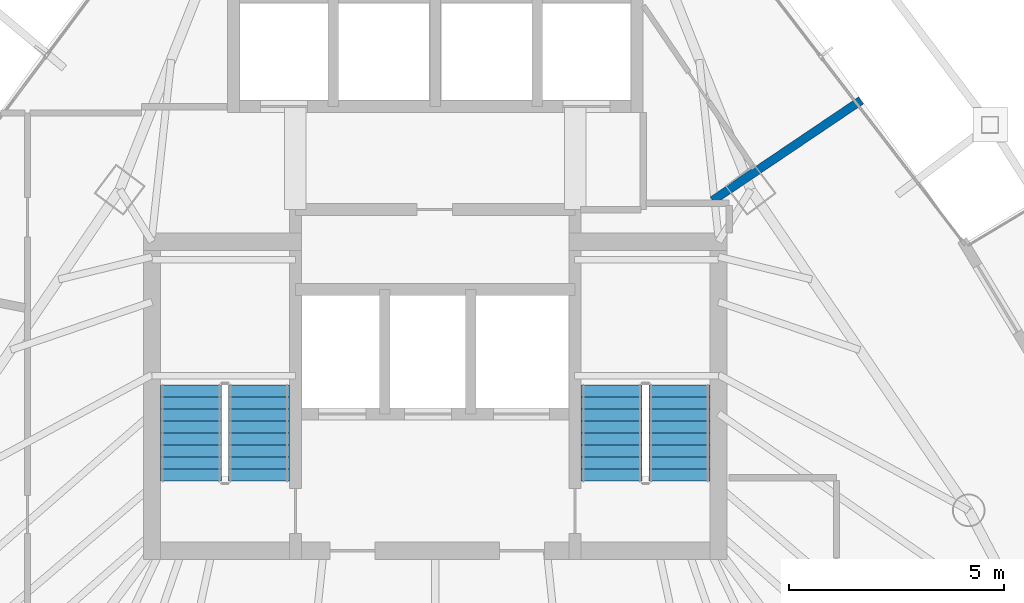
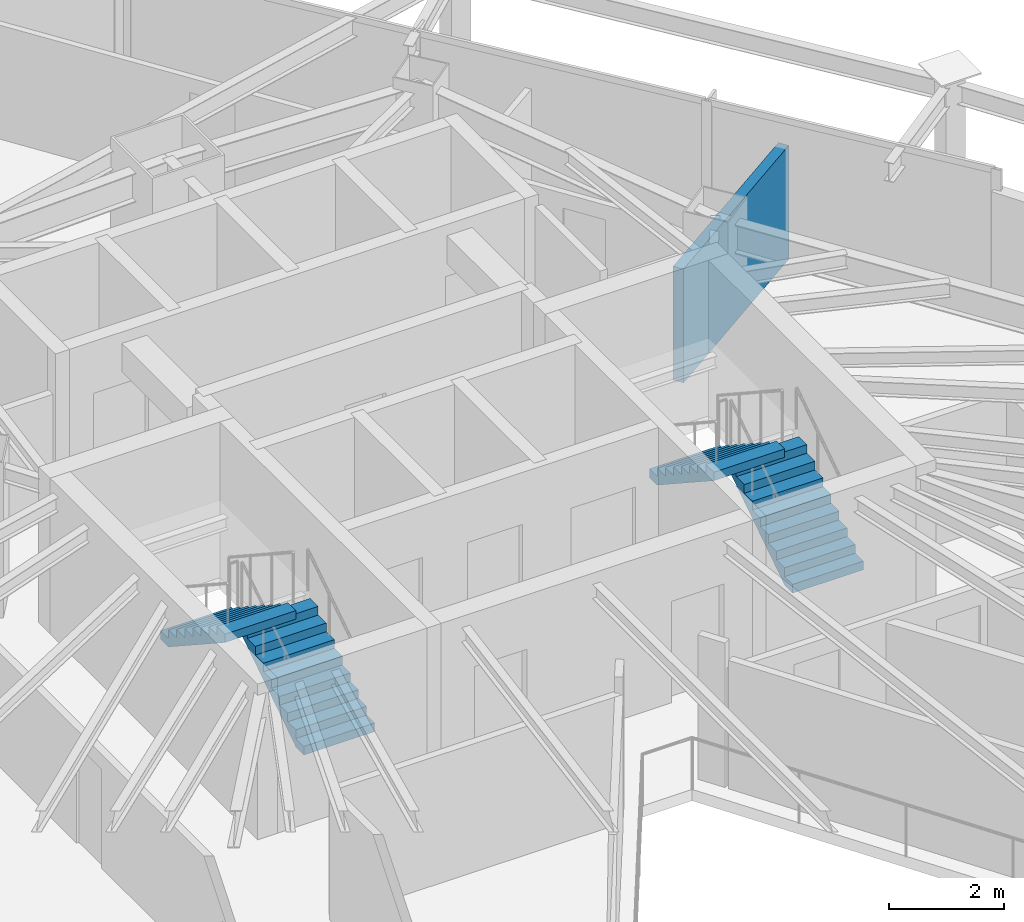
# One storey, part 26 of 29: 4 stair flights, 1 wall, 2 elements without a shape of their own.
"""IFC4 building model written with IfcOpenShell, lengths in metres."""

import ifcopenshell
import ifcopenshell.guid

model = None  # the IFC model being written
_history = None  # IfcOwnerHistory: only IFC2X3 demands one
_inside = {}  # id of a spatial element -> (the spatial element, [elements in it])
_under = {}  # id of a project, library or spatial element -> (it, [spatial elements below it])
_declared = {}  # id of a project -> (the project, [libraries it declares])
_typed = {}  # id of a type object -> (the type object, [elements of that type])
_made_of = {}  # id of a material, layer set ... -> (it, [elements and type objects made of it])


def new_model(schema):
    """Start an empty IFC model of exactly this schema.

    Asked for "IFC4X3", IfcOpenShell would pick the latest addendum, in which some entities
    have other attributes; the version numbers below select the first issue.
    IFC2X3 requires an IfcOwnerHistory on every rooted entity: one is made here for all.
    """
    global model, _history
    if schema == "IFC4X3":
        model = ifcopenshell.file(schema_version=(4, 3, 0, 0))
    else:
        model = ifcopenshell.file(schema=schema)
    _inside.clear()
    _under.clear()
    _declared.clear()
    _typed.clear()
    _made_of.clear()
    _history = None
    if model.schema == "IFC2X3":
        org = make("IfcOrganization", Name="unknown")
        user = make(
            "IfcPersonAndOrganization",
            ThePerson=make("IfcPerson", FamilyName="unknown"),
            TheOrganization=org,
        )
        app = make(
            "IfcApplication",
            ApplicationDeveloper=org,
            Version="unknown",
            ApplicationFullName="unknown",
            ApplicationIdentifier="unknown",
        )
        _history = make(
            "IfcOwnerHistory",
            OwningUser=user,
            OwningApplication=app,
            ChangeAction="ADDED",
            CreationDate=0,
        )
    return model


def make(cls, **values):
    """One entity of the class cls with the attributes given. An attribute that is None is left unset."""
    return model.create_entity(
        cls, **{name: value for name, value in values.items() if value is not None}
    )


def rooted(cls, **values):
    """An entity with a GlobalId (a new one), such as an element, a storey or a relation."""
    return make(cls, GlobalId=ifcopenshell.guid.new(), OwnerHistory=_history, **values)


def si_unit(unit_type, name, prefix=None):
    """IfcSIUnit, for example si_unit("LENGTHUNIT", "METRE", prefix="MILLI")."""
    return make("IfcSIUnit", UnitType=unit_type, Prefix=prefix, Name=name)


def assignment(units):
    """IfcUnitAssignment: the units of a project."""
    return None if units is None else make("IfcUnitAssignment", Units=units)


def point(xyz):
    """IfcCartesianPoint."""
    return None if xyz is None else make("IfcCartesianPoint", Coordinates=xyz)


def direction(xyz):
    """IfcDirection."""
    return None if xyz is None else make("IfcDirection", DirectionRatios=xyz)


def frame(location, z_axis=None, x_axis=None):
    """IfcAxis2Placement3D, a coordinate frame: its origin and axes. An axis left out is left unset."""
    return make(
        "IfcAxis2Placement3D",
        Location=point(location),
        Axis=direction(z_axis),
        RefDirection=direction(x_axis),
    )


def frame_2d(location, x_axis=None):
    """IfcAxis2Placement2D, a coordinate frame in the plane: its origin and x axis."""
    return make(
        "IfcAxis2Placement2D", Location=point(location), RefDirection=direction(x_axis)
    )


def origin():
    """The frame at (0, 0, 0) with its axes left unset."""
    return frame((0.0, 0.0, 0.0))


def place(relative_to, where):
    """IfcLocalPlacement: puts the frame where relative to a parent placement (None: the world)."""
    return make(
        "IfcLocalPlacement", PlacementRelTo=relative_to, RelativePlacement=where
    )


def context(
    kind, dimensions, precision=None, world=None, true_north=None, identifier=None
):
    """IfcGeometricRepresentationContext, for example the 3D "Model" context."""
    return make(
        "IfcGeometricRepresentationContext",
        ContextIdentifier=identifier,
        ContextType=kind,
        CoordinateSpaceDimension=dimensions,
        Precision=precision,
        WorldCoordinateSystem=world,
        TrueNorth=true_north,
    )


def subcontext(parent, identifier, kind, view, scale=None):
    """IfcGeometricRepresentationSubContext, for example "Body" below "Model"."""
    return make(
        "IfcGeometricRepresentationSubContext",
        ContextIdentifier=identifier,
        ContextType=kind,
        ParentContext=parent,
        TargetScale=scale,
        TargetView=view,
    )


def project(units=None, contexts=None):
    """IfcProject with its units and contexts."""
    return rooted(
        "IfcProject",
        Name="project",
        RepresentationContexts=contexts,
        UnitsInContext=assignment(units),
    )


def spatial(cls, under=None, at=None, **own):
    """A site, building, storey or space (cls), placed at a placement, below another one or the project."""
    s = rooted(cls, ObjectPlacement=at, **own)
    if under is not None:
        _under.setdefault(under.id(), (under, []))[1].append(s)
    return s


def polyline(points):
    """IfcPolyline through the points."""
    return make("IfcPolyline", Points=[point(p) for p in points])


def profile(cls, at=None, kind="AREA", **sizes):
    """A parametric profile (cls). Its sizes go by their IFC names, for example OverallWidth=200.0."""
    return make(cls, ProfileType=kind, Position=at, **sizes)


def rectangle(**sizes):
    """IfcRectangleProfileDef."""
    return profile("IfcRectangleProfileDef", **sizes)


def outline(outer, holes=None, kind="AREA"):
    """IfcArbitraryClosedProfileDef: a profile drawn as a closed curve; with holes, ...WithVoids."""
    if holes is None:
        return make("IfcArbitraryClosedProfileDef", ProfileType=kind, OuterCurve=outer)
    return make(
        "IfcArbitraryProfileDefWithVoids",
        ProfileType=kind,
        OuterCurve=outer,
        InnerCurves=holes,
    )


def extrude(swept, where, along, depth):
    """IfcExtrudedAreaSolid: the profile swept, set in the frame where, extruded along a direction by depth."""
    return make(
        "IfcExtrudedAreaSolid",
        SweptArea=swept,
        Position=where,
        ExtrudedDirection=direction(along),
        Depth=depth,
    )


def shape(context_of_items, identifier, shape_type, items):
    """IfcShapeRepresentation: the items that make up one representation, for example the "Body"."""
    return make(
        "IfcShapeRepresentation",
        ContextOfItems=context_of_items,
        RepresentationIdentifier=identifier,
        RepresentationType=shape_type,
        Items=items,
    )


def material(Name=None, Category=None):
    """IfcMaterial."""
    return make("IfcMaterial", Name=Name, Category=Category)


def layer(
    of_material, thickness, ventilated=None, Name=None, Category=None, Priority=None
):
    """IfcMaterialLayer: one layer of a wall or slab, of a material (None: an air gap)."""
    return make(
        "IfcMaterialLayer",
        Material=of_material,
        LayerThickness=thickness,
        IsVentilated=ventilated,
        Name=Name,
        Category=Category,
        Priority=Priority,
    )


def layer_set(layers, Name=None):
    """IfcMaterialLayerSet."""
    return make("IfcMaterialLayerSet", MaterialLayers=layers, LayerSetName=Name)


def made_of(thing, what):
    """Note that an element or type object is made of a material, layer set ...; save() writes the relation."""
    if what is not None:
        _made_of.setdefault(what.id(), (what, []))[1].append(thing)
    return thing


def type_object(cls, material=None, **own):
    """A type object (cls), such as IfcWallType, which elements share."""
    return made_of(rooted(cls, **own), material)


def element(
    cls,
    number,
    at=None,
    inside=None,
    cuts=None,
    type_object=None,
    material=None,
    context=None,
    identifier="Body",
    shape_type=None,
    held_by="IfcProductDefinitionShape",
    body=None,
    shapes=None,
    **own,
):
    """One element of the class cls, such as IfcWall. Its Tag is "e" and its number.

    at: its placement. inside: the storey or other place that contains it. cuts: it is an
    opening in that element (IfcRelVoidsElement). A single representation is given by context,
    identifier, shape_type and body (its items); several are given by shapes. held_by: the class
    of the entity that holds the representations. save() writes the other relations.
    """
    e = rooted(cls, Tag="e%d" % number, ObjectPlacement=at, **own)
    if body is not None:
        shapes = [shape(context, identifier, shape_type, body)]
    if shapes is not None:
        e.Representation = make(held_by, Representations=shapes)
    if inside is not None:
        _inside.setdefault(inside.id(), (inside, []))[1].append(e)
    if cuts is not None:
        rooted(
            "IfcRelVoidsElement", RelatingBuildingElement=cuts, RelatedOpeningElement=e
        )
    if type_object is not None:
        _typed.setdefault(type_object.id(), (type_object, []))[1].append(e)
    return made_of(e, material)


def aggregate(whole, parts):
    """IfcRelAggregates: a whole, such as a stair, and the parts it consists of."""
    return rooted("IfcRelAggregates", RelatingObject=whole, RelatedObjects=parts)


def save(model, path):
    """Write the relations noted so far, then the file.

    IfcRelAggregates (storeys below a building ...), IfcRelContainedInSpatialStructure (elements
    in a storey), IfcRelDefinesByType, IfcRelAssociatesMaterial and IfcRelDeclares: one each for
    every whole, place, type object, material and project.
    """
    for whole, parts in _under.values():
        aggregate(whole, parts)
    for where, things in _inside.values():
        rooted(
            "IfcRelContainedInSpatialStructure",
            RelatedElements=things,
            RelatingStructure=where,
        )
    for kind, things in _typed.values():
        rooted("IfcRelDefinesByType", RelatedObjects=things, RelatingType=kind)
    for what, things in _made_of.values():
        rooted("IfcRelAssociatesMaterial", RelatedObjects=things, RelatingMaterial=what)
    for by, libraries in _declared.values():
        rooted("IfcRelDeclares", RelatingContext=by, RelatedDefinitions=libraries)
    model.write(path)


model = new_model("IFC4")

# Units and contexts
model_context = context("Model", 3, precision=1e-05, world=origin(), true_north=direction((0.0, 1.0)))
body_context = subcontext(model_context, "Body", "Model", "MODEL_VIEW")
ifc_project = project(units=[si_unit("LENGTHUNIT", "METRE"), si_unit("AREAUNIT", "SQUARE_METRE"), si_unit("VOLUMEUNIT", "CUBIC_METRE"), si_unit("PLANEANGLEUNIT", "RADIAN"), si_unit("MASSUNIT", "GRAM", prefix="KILO")], contexts=[model_context])

# Site, building, storey
site_placement = place(None, origin())
site = spatial("IfcSite", under=ifc_project, at=site_placement, CompositionType="ELEMENT")
building_placement = place(site_placement, origin())
building = spatial("IfcBuilding", under=site, at=building_placement, Name="Orvanel Arch Residences", CompositionType="ELEMENT")
storey_placement = place(building_placement, frame((0.0, 0.0, 167.14990234375)))
storey = spatial("IfcBuildingStorey", under=building, at=storey_placement, Name="L47", CompositionType="ELEMENT", Elevation=167.14990234375)

# Wall
ifc_material_1 = material(Name="Fire-rated plasterboard lined steel stud partition", Category="steel")
ifc_layer = layer(ifc_material_1, 0.199951171875)
ifc_layer_set = layer_set([ifc_layer], Name="Fire-rated plasterboard lined steel stud partition")
wall_type = type_object("IfcWallType", Name="W-DEM-200", PredefinedType="PARTITIONING", material=ifc_layer_set)
wall_placement = place(storey_placement, frame((39.464111328125, 34.860107421875, 0.0), z_axis=(0.0, 0.0, 1.0), x_axis=(0.828976210701, 0.559283865395, 0.0)))
element("IfcWall", 1, at=wall_placement, inside=storey, type_object=wall_type, Name="L47 Inter-Tenancy Acoustic Demising Wall", PredefinedType="PARTITIONING", context=body_context, shape_type="SweptSolid", body=[
    extrude(rectangle(XDim=4.17138671875, YDim=0.199951171875, at=frame_2d((2.085693359375, 0.0))), origin(), (0.0, 0.0, 1.0), 2.4130859375),
])

# Stair, stair flights
ifc_material_2 = material(Name="Precast concrete N50 (50 MPa)", Category="concrete")
stair_type = type_object("IfcStairType", Name="STR-DOG-184", PredefinedType="USERDEFINED", material=ifc_material_2)
stair_1_placement = place(storey_placement, origin())
stair_1 = element("IfcStair", 2, at=stair_1_placement, inside=storey, type_object=stair_type, Name="L47 Fire-Isolated Core Exit Stair 1", ObjectType="TWO_RETURN_STAIR", PredefinedType="USERDEFINED")
stair_flight_type_1 = type_object("IfcStairFlightType", Name="SFL-C1-184", PredefinedType="STRAIGHT", material=ifc_material_2)
stair_flight_1_placement = place(storey_placement, frame((28.889892578125, 28.320068359375, 0.0), z_axis=(0.0, 0.0, 1.0), x_axis=(0.0, 1.0, 0.0)))
stair_flight_1 = element("IfcStairFlight", 3, at=stair_flight_1_placement, type_object=stair_flight_type_1, Name="ST-1 flight 1", NumberOfRisers=9, NumberOfTreads=8, PredefinedType="STRAIGHT", RiserHeight=0.183333333, TreadLength=0.28, context=body_context, shape_type="SweptSolid", body=[
    extrude(outline(polyline([(0.0, 0.0), (0.0, 0.183349609375), (0.280029296875, 0.183349609375), (0.280029296875, 0.36669921875), (0.56005859375, 0.36669921875), (0.56005859375, 0.550048828125), (0.840087890625, 0.550048828125), (0.840087890625, 0.7333984375), (1.1201171875, 0.7333984375), (1.1201171875, 0.916748046875), (1.39990234375, 0.916748046875), (1.39990234375, 1.10009765625), (1.679931640625, 1.10009765625), (1.679931640625, 1.283447265625), (1.9599609375, 1.283447265625), (1.9599609375, 1.466552734375), (2.239990234375, 1.466552734375), (2.239990234375, 1.64990234375), (2.239990234375, 1.28759765625), (0.273681640625, 0.0), (0.0, 0.0)])), frame((0.0, 0.7099609375, 0.0), z_axis=(0.0, -1.0, 0.0), x_axis=(1.0, 0.0, 0.0)), (0.0, 0.0, 1.0), 1.419921875),
])
stair_flight_2_placement = place(storey_placement, frame((27.31005859375, 30.56005859375, 1.650146484375), z_axis=(0.0, 0.0, 1.0), x_axis=(0.0, -1.0, 0.0)))
stair_flight_2 = element("IfcStairFlight", 4, at=stair_flight_2_placement, type_object=stair_flight_type_1, Name="ST-1 flight 2", NumberOfRisers=9, NumberOfTreads=8, PredefinedType="STRAIGHT", RiserHeight=0.183333333, TreadLength=0.28, context=body_context, shape_type="SweptSolid", body=[
    extrude(outline(polyline([(0.0, 0.0), (0.0, 0.183349609375), (0.280029296875, 0.183349609375), (0.280029296875, 0.36669921875), (0.56005859375, 0.36669921875), (0.56005859375, 0.550048828125), (0.840087890625, 0.550048828125), (0.840087890625, 0.7333984375), (1.1201171875, 0.7333984375), (1.1201171875, 0.916748046875), (1.39990234375, 0.916748046875), (1.39990234375, 1.10009765625), (1.679931640625, 1.10009765625), (1.679931640625, 1.283447265625), (1.9599609375, 1.283447265625), (1.9599609375, 1.466552734375), (2.239990234375, 1.466552734375), (2.239990234375, 1.64990234375), (2.239990234375, 1.28759765625), (0.273681640625, 0.0), (0.0, 0.0)])), frame((0.0, 0.7099609375, 0.0), z_axis=(0.0, -1.0, 0.0), x_axis=(1.0, 0.0, 0.0)), (0.0, 0.0, 1.0), 1.419921875),
])
aggregate(stair_1, [stair_flight_1, stair_flight_2])

stair_2_placement = place(storey_placement, origin())
stair_2 = element("IfcStair", 5, at=stair_2_placement, inside=storey, type_object=stair_type, Name="L47 Fire-Isolated Core Exit Stair 2", ObjectType="TWO_RETURN_STAIR", PredefinedType="USERDEFINED")
stair_flight_type_2 = type_object("IfcStairFlightType", Name="SFL-C2-184", PredefinedType="STRAIGHT", material=ifc_material_2)
stair_flight_3_placement = place(storey_placement, frame((38.68994140625, 28.320068359375, 0.0), z_axis=(0.0, 0.0, 1.0), x_axis=(0.0, 1.0, 0.0)))
stair_flight_3 = element("IfcStairFlight", 6, at=stair_flight_3_placement, type_object=stair_flight_type_2, Name="ST-2 flight 1", NumberOfRisers=9, NumberOfTreads=8, PredefinedType="STRAIGHT", RiserHeight=0.183333333, TreadLength=0.28, context=body_context, shape_type="SweptSolid", body=[
    extrude(outline(polyline([(0.0, 0.0), (0.0, 0.183349609375), (0.280029296875, 0.183349609375), (0.280029296875, 0.36669921875), (0.56005859375, 0.36669921875), (0.56005859375, 0.550048828125), (0.840087890625, 0.550048828125), (0.840087890625, 0.7333984375), (1.1201171875, 0.7333984375), (1.1201171875, 0.916748046875), (1.39990234375, 0.916748046875), (1.39990234375, 1.10009765625), (1.679931640625, 1.10009765625), (1.679931640625, 1.283447265625), (1.9599609375, 1.283447265625), (1.9599609375, 1.466552734375), (2.239990234375, 1.466552734375), (2.239990234375, 1.64990234375), (2.239990234375, 1.28759765625), (0.273681640625, 0.0), (0.0, 0.0)])), frame((0.0, 0.7099609375, 0.0), z_axis=(0.0, -1.0, 0.0), x_axis=(1.0, 0.0, 0.0)), (0.0, 0.0, 1.0), 1.419921875),
])
stair_flight_4_placement = place(storey_placement, frame((37.110107421875, 30.56005859375, 1.650146484375), z_axis=(0.0, 0.0, 1.0), x_axis=(0.0, -1.0, 0.0)))
stair_flight_4 = element("IfcStairFlight", 7, at=stair_flight_4_placement, type_object=stair_flight_type_2, Name="ST-2 flight 2", NumberOfRisers=9, NumberOfTreads=8, PredefinedType="STRAIGHT", RiserHeight=0.183333333, TreadLength=0.28, context=body_context, shape_type="SweptSolid", body=[
    extrude(outline(polyline([(0.0, 0.0), (0.0, 0.183349609375), (0.280029296875, 0.183349609375), (0.280029296875, 0.36669921875), (0.56005859375, 0.36669921875), (0.56005859375, 0.550048828125), (0.840087890625, 0.550048828125), (0.840087890625, 0.7333984375), (1.1201171875, 0.7333984375), (1.1201171875, 0.916748046875), (1.39990234375, 0.916748046875), (1.39990234375, 1.10009765625), (1.679931640625, 1.10009765625), (1.679931640625, 1.283447265625), (1.9599609375, 1.283447265625), (1.9599609375, 1.466552734375), (2.239990234375, 1.466552734375), (2.239990234375, 1.64990234375), (2.239990234375, 1.28759765625), (0.273681640625, 0.0), (0.0, 0.0)])), frame((0.0, 0.7099609375, 0.0), z_axis=(0.0, -1.0, 0.0), x_axis=(1.0, 0.0, 0.0)), (0.0, 0.0, 1.0), 1.419921875),
])
aggregate(stair_2, [stair_flight_3, stair_flight_4])

save(model, "model.ifc")
